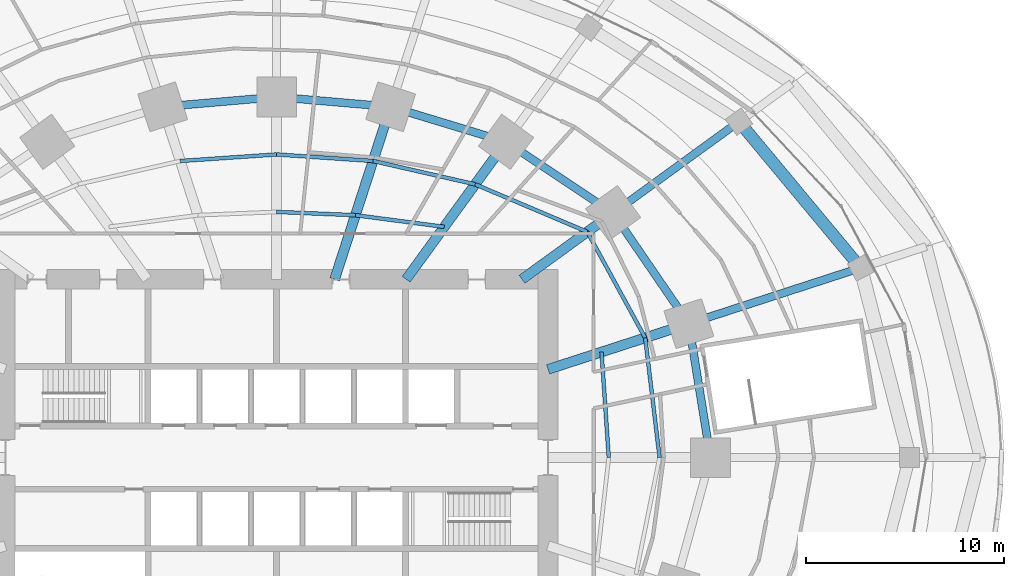
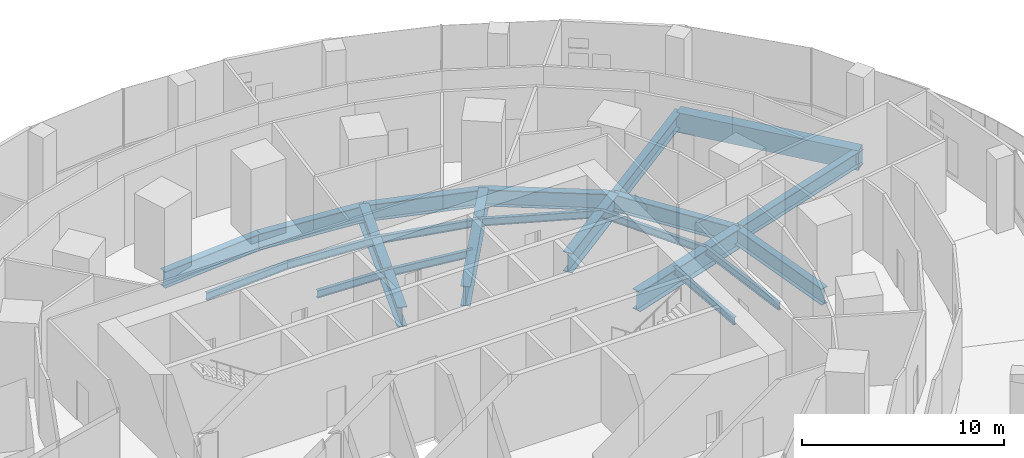
# One storey, part 10 of 26: 22 beams.
"""IFC4 building model written with IfcOpenShell, lengths in metres."""

from ifc_helpers import new_model, si_unit, direction, frame, origin, origin_2d, place, context, subcontext, project, spatial, rectangle, i_section, extrude, material, material_profile, profile_set, type_object, element, save


model = new_model("IFC4")

# Units and contexts
model_context = context("Model", 3, precision=1e-05, world=origin(), true_north=direction((0.0, 1.0)))
body_context = subcontext(model_context, "Body", "Model", "MODEL_VIEW")
ifc_project = project(units=[si_unit("LENGTHUNIT", "METRE"), si_unit("AREAUNIT", "SQUARE_METRE"), si_unit("VOLUMEUNIT", "CUBIC_METRE"), si_unit("PLANEANGLEUNIT", "RADIAN"), si_unit("MASSUNIT", "GRAM", prefix="KILO")], contexts=[model_context])

# Site, building, storey
site_placement = place(None, origin())
site = spatial("IfcSite", under=ifc_project, at=site_placement, CompositionType="ELEMENT")
building_placement = place(site_placement, origin())
building = spatial("IfcBuilding", under=site, at=building_placement, Name="Marramba Exchange Tower", CompositionType="ELEMENT")
storey_placement = place(building_placement, frame((0.0, 0.0, 15.10009765625)))
storey = spatial("IfcBuildingStorey", under=building, at=storey_placement, Name="L03", CompositionType="ELEMENT", Elevation=15.10009765625)

# Beams
ifc_material_1 = material(Name="Concrete N50", Category="concrete")
ifc_material_profile_1 = material_profile(ifc_material_1, rectangle(XDim=0.60009765625, YDim=1.199951171875, at=origin_2d()), Name="RC 600x1200")
ifc_profile_set_1 = profile_set([ifc_material_profile_1], Name="Concrete N50")
beam_type_1 = type_object("IfcBeamType", Name="Edge beam RC 600x1200 N50", PredefinedType="SPANDREL", material=ifc_profile_set_1)
beam_1_placement = place(storey_placement, frame((29.48193359375, 9.579345703125, -0.800048828125), z_axis=(-0.639553814052, 0.768746329377, 0.0), x_axis=(-0.768746329377, -0.639553814052, 0.0)))
element("IfcBeam", 1, at=beam_1_placement, inside=storey, type_object=beam_type_1, Name="Edge beam L03 P3C02", PredefinedType="SPANDREL", context=body_context, shape_type="SweptSolid", body=[
    extrude(rectangle(XDim=0.60009765625, YDim=1.199951171875, at=origin_2d()), origin(), (0.0, 0.0, 1.0), 9.599853515625),
])
ifc_material_2 = material(Name="Steel AS/NZS 3679.1 grade 300", Category="steel")
ifc_material_profile_2 = material_profile(ifc_material_2, i_section(OverallWidth=0.18994140625, OverallDepth=0.4541015625, WebThickness=0.008544921875, FlangeThickness=0.0126953125, FilletRadius=0.011474609375, at=origin_2d()), Name="460UB67.1")
ifc_profile_set_2 = profile_set([ifc_material_profile_2], Name="Steel AS/NZS 3679.1 grade 300")
beam_type_2 = type_object("IfcBeamType", Name="Floor joist 460UB67.1", PredefinedType="JOIST", material=ifc_profile_set_2)
beam_2_placement = place(storey_placement, frame((16.7666015625, 0.0, -0.427001953125), z_axis=(-0.068096259546, 0.99767875563, 0.0), x_axis=(-0.99767875563, -0.068096259546, 0.0)))
element("IfcBeam", 2, at=beam_2_placement, inside=storey, type_object=beam_type_2, Name="Joist L03 bay 01 row 1", PredefinedType="JOIST", context=body_context, shape_type="SweptSolid", body=[
    extrude(i_section(OverallWidth=0.18994140625, OverallDepth=0.4541015625, WebThickness=0.008544921875, FlangeThickness=0.0126953125, FilletRadius=0.011474609375, at=origin_2d()), origin(), (0.0, 0.0, 1.0), 5.342041015625),
])
beam_3_placement = place(storey_placement, frame((19.333251953125, 0.0, -0.427001953125), z_axis=(-0.119523078538, 0.992831422597, 0.0), x_axis=(-0.992831422597, -0.119523078538, 0.0)))
element("IfcBeam", 3, at=beam_3_placement, inside=storey, type_object=beam_type_2, Name="Joist L03 bay 01 row 2", PredefinedType="JOIST", context=body_context, shape_type="SweptSolid", body=[
    extrude(i_section(OverallWidth=0.18994140625, OverallDepth=0.4541015625, WebThickness=0.008544921875, FlangeThickness=0.0126953125, FilletRadius=0.011474609375, at=origin_2d()), origin(), (0.0, 0.0, 1.0), 6.089111328125),
])
beam_4_placement = place(storey_placement, frame((18.60546875, 6.04541015625, -0.427001953125), z_axis=(-0.479584443791, 0.877495732909, 0.0), x_axis=(-0.877495732909, -0.479584443791, 0.0)))
element("IfcBeam", 4, at=beam_4_placement, inside=storey, type_object=beam_type_2, Name="Joist L03 bay 02 row 2", PredefinedType="JOIST", context=body_context, shape_type="SweptSolid", body=[
    extrude(i_section(OverallWidth=0.18994140625, OverallDepth=0.4541015625, WebThickness=0.008544921875, FlangeThickness=0.0126953125, FilletRadius=0.011474609375, at=origin_2d()), origin(), (0.0, 0.0, 1.0), 6.094970703125),
])
beam_5_placement = place(storey_placement, frame((15.682373046875, 11.393798828125, -0.427001953125), z_axis=(-0.920674336375, 0.390331610738, 0.0), x_axis=(-0.390331610738, -0.920674336375, 0.0)))
element("IfcBeam", 5, at=beam_5_placement, inside=storey, type_object=beam_type_2, Name="Joist L03 bay 03 row 2", PredefinedType="JOIST", context=body_context, shape_type="SweptSolid", body=[
    extrude(i_section(OverallWidth=0.18994140625, OverallDepth=0.4541015625, WebThickness=0.008544921875, FlangeThickness=0.0126953125, FilletRadius=0.011474609375, at=origin_2d()), origin(), (0.0, 0.0, 1.0), 6.1484375),
])
beam_6_placement = place(storey_placement, frame((8.4619140625, 11.646728515625, -0.427001953125), z_axis=(-0.991480538255, 0.130254912618, 0.0), x_axis=(-0.130254912618, -0.991480538255, 0.0)))
element("IfcBeam", 6, at=beam_6_placement, inside=storey, type_object=beam_type_2, Name="Joist L03 bay 04 row 1", PredefinedType="JOIST", context=body_context, shape_type="SweptSolid", body=[
    extrude(i_section(OverallWidth=0.18994140625, OverallDepth=0.4541015625, WebThickness=0.008544921875, FlangeThickness=0.0126953125, FilletRadius=0.011474609375, at=origin_2d()), origin(), (0.0, 0.0, 1.0), 4.524658203125),
])
beam_7_placement = place(storey_placement, frame((10.021728515625, 13.793701171875, -0.427001953125), z_axis=(-0.974859652292, 0.222819788916, 0.0), x_axis=(-0.222819788916, -0.974859652292, 0.0)))
element("IfcBeam", 7, at=beam_7_placement, inside=storey, type_object=beam_type_2, Name="Joist L03 bay 04 row 2", PredefinedType="JOIST", context=body_context, shape_type="SweptSolid", body=[
    extrude(i_section(OverallWidth=0.18994140625, OverallDepth=0.4541015625, WebThickness=0.008544921875, FlangeThickness=0.0126953125, FilletRadius=0.011474609375, at=origin_2d()), origin(), (0.0, 0.0, 1.0), 5.2900390625),
])
beam_8_placement = place(storey_placement, frame((3.975830078125, 12.236083984375, -0.427001953125), z_axis=(-0.999137002892, 0.041536122257, 0.0), x_axis=(-0.041536122257, -0.999137002892, 0.0)))
element("IfcBeam", 8, at=beam_8_placement, inside=storey, type_object=beam_type_2, Name="Joist L03 bay 05 row 1", PredefinedType="JOIST", context=body_context, shape_type="SweptSolid", body=[
    extrude(i_section(OverallWidth=0.18994140625, OverallDepth=0.4541015625, WebThickness=0.008544921875, FlangeThickness=0.0126953125, FilletRadius=0.011474609375, at=origin_2d()), origin(), (0.0, 0.0, 1.0), 3.979248046875),
])
for number, where, z_axis, x_axis, name in (
    (9, (4.86474609375, 14.972412109375, -0.427001953125), (-0.997702652202, 0.067745241816, 0.0), (-0.067745241816, -0.997702652202, 0.0), "Joist L03 bay 05 row 2"),
    (10, (0.0, 15.302734375, -0.427001953125), (-0.997702652202, -0.067745241816, 0.0), (0.067745241816, -0.997702652202, 0.0), "Joist L03 bay 06 row 2"),
):
    element("IfcBeam", number, at=place(storey_placement, frame(where, z_axis=z_axis, x_axis=x_axis)), inside=storey, type_object=beam_type_2, Name=name, PredefinedType="JOIST", context=body_context, shape_type="SweptSolid", body=[
        extrude(i_section(OverallWidth=0.18994140625, OverallDepth=0.4541015625, WebThickness=0.008544921875, FlangeThickness=0.0126953125, FilletRadius=0.011474609375, at=origin_2d()), origin(), (0.0, 0.0, 1.0), 4.8759765625),
    ])
ifc_material_3 = material(Name="Steel AS/NZS 3679.2 grade 300", Category="steel")
ifc_material_profile_3 = material_profile(ifc_material_3, i_section(OverallWidth=0.5, OverallDepth=1.199951171875, WebThickness=0.01611328125, FlangeThickness=0.0400390625, at=origin_2d()), Name="1200WB455")
ifc_profile_set_3 = profile_set([ifc_material_profile_3], Name="Steel AS/NZS 3679.2 grade 300")
beam_type_3 = type_object("IfcBeamType", Name="Radial girder 1200WB455", PredefinedType="BEAM", material=ifc_profile_set_3)
beam_9_placement = place(storey_placement, frame((13.699951171875, 4.451416015625, -0.800048828125), z_axis=(0.951059990189, 0.309006302624, 0.0), x_axis=(-0.309006302624, 0.951059990189, 0.0)))
element("IfcBeam", 11, at=beam_9_placement, inside=storey, type_object=beam_type_3, Name="Radial girder L03 TC02", PredefinedType="BEAM", context=body_context, shape_type="SweptSolid", body=[
    extrude(i_section(OverallWidth=0.5, OverallDepth=1.199951171875, WebThickness=0.01611328125, FlangeThickness=0.0400390625, at=origin_2d()), origin(), (0.0, 0.0, 1.0), 7.47412109375),
])
beam_10_placement = place(storey_placement, frame((12.387451171875, 9.0, -0.800048828125), z_axis=(0.809025746925, 0.587773205252, 0.0), x_axis=(-0.587773205252, 0.809025746925, 0.0)))
element("IfcBeam", 12, at=beam_10_placement, inside=storey, type_object=beam_type_3, Name="Radial girder L03 TC03", PredefinedType="BEAM", context=body_context, shape_type="SweptSolid", body=[
    extrude(i_section(OverallWidth=0.5, OverallDepth=1.199951171875, WebThickness=0.01611328125, FlangeThickness=0.0400390625, at=origin_2d()), origin(), (0.0, 0.0, 1.0), 5.683837890625),
])
beam_11_placement = place(storey_placement, frame((6.538818359375, 9.0, -0.800048828125), z_axis=(0.587782439969, 0.80901903764, 0.0), x_axis=(-0.80901903764, 0.587782439969, 0.0)))
element("IfcBeam", 13, at=beam_11_placement, inside=storey, type_object=beam_type_3, Name="Radial girder L03 TC04", PredefinedType="BEAM", context=body_context, shape_type="SweptSolid", body=[
    extrude(i_section(OverallWidth=0.5, OverallDepth=1.199951171875, WebThickness=0.01611328125, FlangeThickness=0.0400390625, at=origin_2d()), origin(), (0.0, 0.0, 1.0), 8.578857421875),
])
beam_12_placement = place(storey_placement, frame((2.92431640625, 9.0, -0.800048828125), z_axis=(0.309019754162, 0.951055619582, 0.0), x_axis=(-0.951055619582, 0.309019754162, 0.0)))
element("IfcBeam", 14, at=beam_12_placement, inside=storey, type_object=beam_type_3, Name="Radial girder L03 TC05", PredefinedType="BEAM", context=body_context, shape_type="SweptSolid", body=[
    extrude(i_section(OverallWidth=0.5, OverallDepth=1.199951171875, WebThickness=0.01611328125, FlangeThickness=0.0400390625, at=origin_2d()), origin(), (0.0, 0.0, 1.0), 9.15673828125),
])
ifc_material_profile_4 = material_profile(ifc_material_3, i_section(OverallWidth=0.39990234375, OverallDepth=0.89990234375, WebThickness=0.01611328125, FlangeThickness=0.031982421875, at=origin_2d()), Name="900WB282")
ifc_profile_set_4 = profile_set([ifc_material_profile_4], Name="Steel AS/NZS 3679.2 grade 300")
beam_type_4 = type_object("IfcBeamType", Name="Radial girder 900WB282", PredefinedType="BEAM", material=ifc_profile_set_4)
beam_13_placement = place(storey_placement, frame((29.48193359375, 9.579345703125, -0.650146484375), z_axis=(-0.95105196918, -0.309030988606, 0.0), x_axis=(0.309030988606, -0.95105196918, 0.0)))
element("IfcBeam", 15, at=beam_13_placement, inside=storey, type_object=beam_type_4, Name="Radial girder L03 P3C02", PredefinedType="BEAM", context=body_context, shape_type="SweptSolid", body=[
    extrude(i_section(OverallWidth=0.39990234375, OverallDepth=0.89990234375, WebThickness=0.01611328125, FlangeThickness=0.031982421875, at=origin_2d()), origin(), (0.0, 0.0, 1.0), 9.119873046875),
])
beam_14_placement = place(storey_placement, frame((23.34228515625, 16.959228515625, -0.650146484375), z_axis=(-0.809006078677, -0.587800276169, 0.0), x_axis=(0.587800276169, -0.809006078677, 0.0)))
element("IfcBeam", 16, at=beam_14_placement, inside=storey, type_object=beam_type_4, Name="Radial girder L03 P3C03", PredefinedType="BEAM", context=body_context, shape_type="SweptSolid", body=[
    extrude(i_section(OverallWidth=0.39990234375, OverallDepth=0.89990234375, WebThickness=0.01611328125, FlangeThickness=0.031982421875, at=origin_2d()), origin(), (0.0, 0.0, 1.0), 7.857177734375),
])
ifc_material_profile_5 = material_profile(ifc_material_3, i_section(OverallWidth=0.39990234375, OverallDepth=1.0, WebThickness=0.01611328125, FlangeThickness=0.031982421875, at=origin_2d()), Name="1000WB322")
ifc_profile_set_5 = profile_set([ifc_material_profile_5], Name="Steel AS/NZS 3679.2 grade 300")
beam_type_5 = type_object("IfcBeamType", Name="Ring beam 1000WB322", PredefinedType="SPANDREL", material=ifc_profile_set_5)
beam_15_placement = place(storey_placement, frame((21.89990234375, 0.0, -0.7001953125), z_axis=(-0.159384865399, 0.987216523708, 0.0), x_axis=(-0.987216523708, -0.159384865399, 0.0)))
element("IfcBeam", 17, at=beam_15_placement, inside=storey, type_object=beam_type_5, Name="Ring beam L03 TC01-TC02", PredefinedType="SPANDREL", context=body_context, shape_type="SweptSolid", body=[
    extrude(i_section(OverallWidth=0.39990234375, OverallDepth=1.0, WebThickness=0.01611328125, FlangeThickness=0.031982421875, at=origin_2d()), origin(), (0.0, 0.0, 1.0), 6.8486328125),
])
beam_16_placement = place(storey_placement, frame((20.808349609375, 6.760986328125, -0.7001953125), z_axis=(-0.56516002054, 0.824981303535, 0.0), x_axis=(-0.824981303535, -0.56516002054, 0.0)))
element("IfcBeam", 18, at=beam_16_placement, inside=storey, type_object=beam_type_5, Name="Ring beam L03 TC02-TC03", PredefinedType="SPANDREL", context=body_context, shape_type="SweptSolid", body=[
    extrude(i_section(OverallWidth=0.39990234375, OverallDepth=1.0, WebThickness=0.01611328125, FlangeThickness=0.031982421875, at=origin_2d()), origin(), (0.0, 0.0, 1.0), 6.763671875),
])
beam_17_placement = place(storey_placement, frame((16.98583984375, 12.3408203125, -0.7001953125), z_axis=(-0.832293151443, 0.554335737673, 0.0), x_axis=(-0.554335737673, -0.832293151443, 0.0)))
element("IfcBeam", 19, at=beam_17_placement, inside=storey, type_object=beam_type_5, Name="Ring beam L03 TC03-TC04", PredefinedType="SPANDREL", context=body_context, shape_type="SweptSolid", body=[
    extrude(i_section(OverallWidth=0.39990234375, OverallDepth=1.0, WebThickness=0.01611328125, FlangeThickness=0.031982421875, at=origin_2d()), origin(), (0.0, 0.0, 1.0), 6.49365234375),
])
beam_18_placement = place(storey_placement, frame((11.581298828125, 15.9404296875, -0.7001953125), z_axis=(-0.956924542524, 0.290336735387, 0.0), x_axis=(-0.290336735387, -0.956924542524, 0.0)))
element("IfcBeam", 20, at=beam_18_placement, inside=storey, type_object=beam_type_5, Name="Ring beam L03 TC04-TC05", PredefinedType="SPANDREL", context=body_context, shape_type="SweptSolid", body=[
    extrude(i_section(OverallWidth=0.39990234375, OverallDepth=1.0, WebThickness=0.01611328125, FlangeThickness=0.031982421875, at=origin_2d()), origin(), (0.0, 0.0, 1.0), 6.089599609375),
])
for number, where, z_axis, x_axis, name in (
    (21, (5.75390625, 17.70849609375, -0.7001953125), (-0.996311003275, 0.085815993578, 0.0), (-0.085815993578, -0.996311003275, 0.0), "Ring beam L03 TC05-TC06"),
    (22, (0.0, 18.2041015625, -0.7001953125), (-0.996311003275, -0.085815993578, 0.0), (0.085815993578, -0.996311003275, 0.0), "Ring beam L03 TC06-TC07"),
):
    element("IfcBeam", number, at=place(storey_placement, frame(where, z_axis=z_axis, x_axis=x_axis)), inside=storey, type_object=beam_type_5, Name=name, PredefinedType="SPANDREL", context=body_context, shape_type="SweptSolid", body=[
        extrude(i_section(OverallWidth=0.39990234375, OverallDepth=1.0, WebThickness=0.01611328125, FlangeThickness=0.031982421875, at=origin_2d()), origin(), (0.0, 0.0, 1.0), 5.775146484375),
    ])

save(model, "model.ifc")
